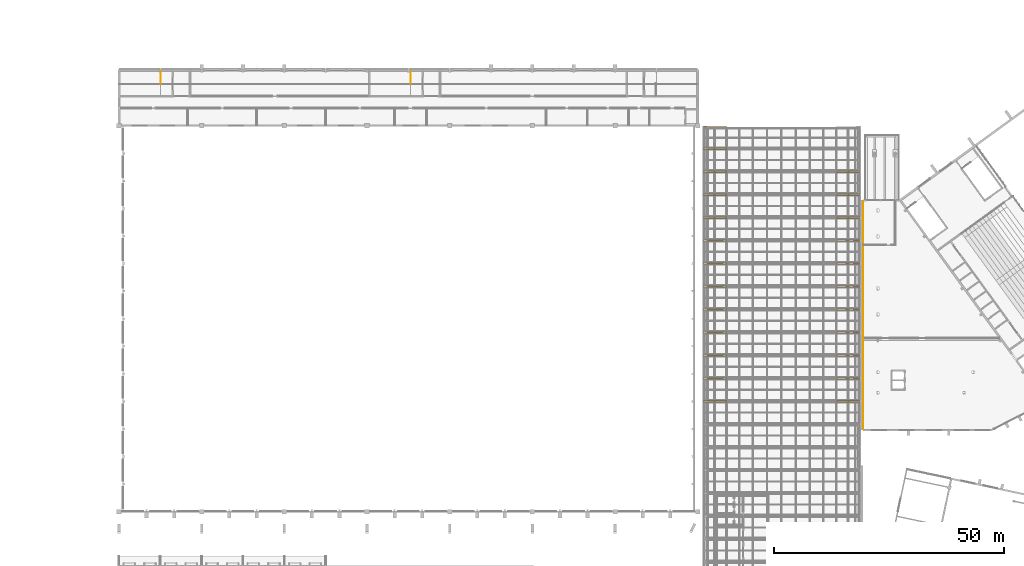
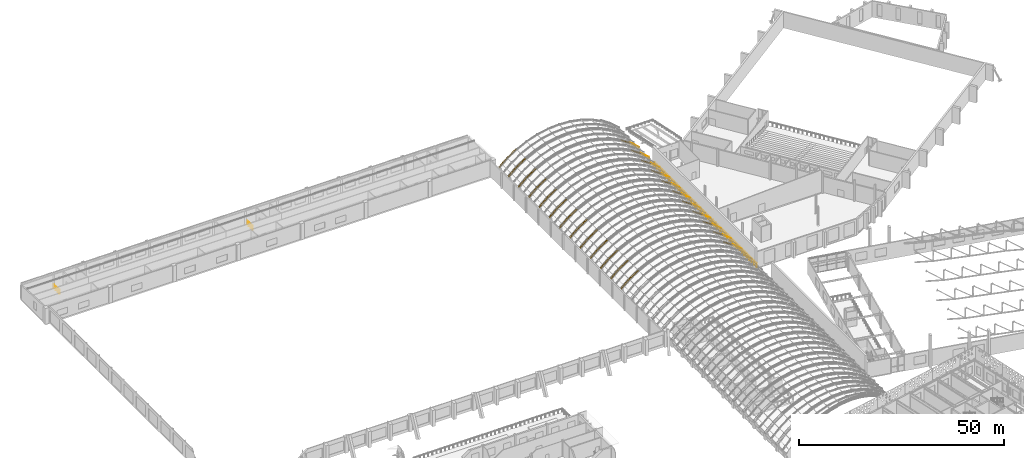
# One storey, part 181 of 182: 48 coverings, 3 railings.
"""IFC4 building model written with IfcOpenShell, lengths in metres."""

from ifc_helpers import new_model, si_unit, direction, frame, origin, origin_2d, place, context, subcontext, project, spatial, polyline, circle, outline, extrude, material, layer, layer_set, type_object, element, save


model = new_model("IFC4")

# Units and contexts
model_context = context("Model", 3, precision=1e-05, world=origin(), true_north=direction((0.0, 1.0)))
body_context = subcontext(model_context, "Body", "Model", "MODEL_VIEW")
ifc_project = project(units=[si_unit("LENGTHUNIT", "METRE"), si_unit("AREAUNIT", "SQUARE_METRE"), si_unit("VOLUMEUNIT", "CUBIC_METRE"), si_unit("PLANEANGLEUNIT", "RADIAN"), si_unit("MASSUNIT", "GRAM", prefix="KILO")], contexts=[model_context])

# Site, building, storey
site_placement = place(None, origin())
site = spatial("IfcSite", under=ifc_project, at=site_placement, CompositionType="ELEMENT")
building_placement = place(site_placement, origin())
building = spatial("IfcBuilding", under=site, at=building_placement, Name="Okhra Congress Centre", CompositionType="ELEMENT")
storey_placement = place(building_placement, frame((0.0, 0.0, 7.199951171875)))
storey = spatial("IfcBuildingStorey", under=building, at=storey_placement, Name="L01", CompositionType="ELEMENT", Elevation=7.199951171875)

# Coverings
ifc_material_1 = material(Name="Extruded aluminium capping, thermally broken", Category="aluminium")
ifc_layer = layer(ifc_material_1, 0.139892578125)
ifc_layer_set = layer_set([ifc_layer], Name="Aluminium rib capping 380")
covering_type = type_object("IfcCoveringType", Name="Aluminium rib capping 380", PredefinedType="CLADDING", material=ifc_layer_set)
covering_1_placement = place(storey_placement, frame((155.2783203125, 155.81005859375, 2.06103515625), z_axis=(-0.663725875965, 0.0, 0.747975909756), x_axis=(0.747975909756, 0.0, 0.663725875965)))
element("IfcCovering", 1, at=covering_1_placement, inside=storey, type_object=covering_type, Name="Rib capping 17.1", PredefinedType="CLADDING", context=body_context, shape_type="SweptSolid", body=[
    extrude(outline(polyline([(0.0, 0.0), (3.0890658975292116, 0.0), (3.0890658975292116, 0.3798828125), (0.0, 0.3798828125), (0.0, 0.0)])), origin(), (0.0, 0.0, -1.0), 0.139892578125),
])
for number, where, z_axis, x_axis, name in (
    (2, (157.63623046875, 155.81005859375, 4.14794921875), (-0.559487786357, 0.0, 0.828838595215), (0.828838595215, 0.0, 0.559487786357), "Rib capping 17.2"),
    (3, (184.303466796875, 155.81005859375, 5.876220703125), (0.559487786357, 0.0, 0.828838595215), (0.828838595215, 0.0, -0.559487786357), "Rib capping 17.11"),
):
    element("IfcCovering", number, at=place(storey_placement, frame(where, z_axis=z_axis, x_axis=x_axis)), inside=storey, type_object=covering_type, Name=name, PredefinedType="CLADDING", context=body_context, shape_type="SweptSolid", body=[
        extrude(outline(polyline([(0.0, 0.0), (3.08902450870042, 0.0), (3.08902450870042, 0.3798828125), (0.0, 0.3798828125), (0.0, 0.0)])), origin(), (0.0, 0.0, -1.0), 0.139892578125),
    ])
for number, where, z_axis, x_axis, name in (
    (4, (186.9111328125, 155.81005859375, 4.111328125), (0.663725875965, 0.0, 0.747975909756), (0.747975909756, 0.0, -0.663725875965), "Rib capping 17.12"),
    (5, (155.2783203125, 160.81005859375, 2.06103515625), (-0.663725875965, 0.0, 0.747975909756), (0.747975909756, 0.0, 0.663725875965), "Rib capping 18.1"),
):
    element("IfcCovering", number, at=place(storey_placement, frame(where, z_axis=z_axis, x_axis=x_axis)), inside=storey, type_object=covering_type, Name=name, PredefinedType="CLADDING", context=body_context, shape_type="SweptSolid", body=[
        extrude(outline(polyline([(0.0, 0.0), (3.0890658975292116, 0.0), (3.0890658975292116, 0.3798828125), (0.0, 0.3798828125), (0.0, 0.0)])), origin(), (0.0, 0.0, -1.0), 0.139892578125),
    ])
for number, where, z_axis, x_axis, name in (
    (6, (157.63623046875, 160.81005859375, 4.14794921875), (-0.559487786357, 0.0, 0.828838595215), (0.828838595215, 0.0, 0.559487786357), "Rib capping 18.2"),
    (7, (184.303466796875, 160.81005859375, 5.876220703125), (0.559487786357, 0.0, 0.828838595215), (0.828838595215, 0.0, -0.559487786357), "Rib capping 18.11"),
):
    element("IfcCovering", number, at=place(storey_placement, frame(where, z_axis=z_axis, x_axis=x_axis)), inside=storey, type_object=covering_type, Name=name, PredefinedType="CLADDING", context=body_context, shape_type="SweptSolid", body=[
        extrude(outline(polyline([(0.0, 0.0), (3.08902450870042, 0.0), (3.08902450870042, 0.3798828125), (0.0, 0.3798828125), (0.0, 0.0)])), origin(), (0.0, 0.0, -1.0), 0.139892578125),
    ])
for number, where, z_axis, x_axis, name in (
    (8, (186.9111328125, 160.81005859375, 4.111328125), (0.663725875965, 0.0, 0.747975909756), (0.747975909756, 0.0, -0.663725875965), "Rib capping 18.12"),
    (9, (155.2783203125, 165.81005859375, 2.06103515625), (-0.663725875965, 0.0, 0.747975909756), (0.747975909756, 0.0, 0.663725875965), "Rib capping 19.1"),
):
    element("IfcCovering", number, at=place(storey_placement, frame(where, z_axis=z_axis, x_axis=x_axis)), inside=storey, type_object=covering_type, Name=name, PredefinedType="CLADDING", context=body_context, shape_type="SweptSolid", body=[
        extrude(outline(polyline([(0.0, 0.0), (3.0890658975292116, 0.0), (3.0890658975292116, 0.3798828125), (0.0, 0.3798828125), (0.0, 0.0)])), origin(), (0.0, 0.0, -1.0), 0.139892578125),
    ])
for number, where, z_axis, x_axis, name in (
    (10, (157.63623046875, 165.81005859375, 4.14794921875), (-0.559487786357, 0.0, 0.828838595215), (0.828838595215, 0.0, 0.559487786357), "Rib capping 19.2"),
    (11, (184.303466796875, 165.81005859375, 5.876220703125), (0.559487786357, 0.0, 0.828838595215), (0.828838595215, 0.0, -0.559487786357), "Rib capping 19.11"),
):
    element("IfcCovering", number, at=place(storey_placement, frame(where, z_axis=z_axis, x_axis=x_axis)), inside=storey, type_object=covering_type, Name=name, PredefinedType="CLADDING", context=body_context, shape_type="SweptSolid", body=[
        extrude(outline(polyline([(0.0, 0.0), (3.08902450870042, 0.0), (3.08902450870042, 0.3798828125), (0.0, 0.3798828125), (0.0, 0.0)])), origin(), (0.0, 0.0, -1.0), 0.139892578125),
    ])
for number, where, z_axis, x_axis, name in (
    (12, (186.9111328125, 165.81005859375, 4.111328125), (0.663725875965, 0.0, 0.747975909756), (0.747975909756, 0.0, -0.663725875965), "Rib capping 19.12"),
    (13, (155.2783203125, 170.81005859375, 2.06103515625), (-0.663725875965, 0.0, 0.747975909756), (0.747975909756, 0.0, 0.663725875965), "Rib capping 20.1"),
):
    element("IfcCovering", number, at=place(storey_placement, frame(where, z_axis=z_axis, x_axis=x_axis)), inside=storey, type_object=covering_type, Name=name, PredefinedType="CLADDING", context=body_context, shape_type="SweptSolid", body=[
        extrude(outline(polyline([(0.0, 0.0), (3.0890658975292116, 0.0), (3.0890658975292116, 0.3798828125), (0.0, 0.3798828125), (0.0, 0.0)])), origin(), (0.0, 0.0, -1.0), 0.139892578125),
    ])
for number, where, z_axis, x_axis, name in (
    (14, (157.63623046875, 170.81005859375, 4.14794921875), (-0.559487786357, 0.0, 0.828838595215), (0.828838595215, 0.0, 0.559487786357), "Rib capping 20.2"),
    (15, (184.303466796875, 170.81005859375, 5.876220703125), (0.559487786357, 0.0, 0.828838595215), (0.828838595215, 0.0, -0.559487786357), "Rib capping 20.11"),
):
    element("IfcCovering", number, at=place(storey_placement, frame(where, z_axis=z_axis, x_axis=x_axis)), inside=storey, type_object=covering_type, Name=name, PredefinedType="CLADDING", context=body_context, shape_type="SweptSolid", body=[
        extrude(outline(polyline([(0.0, 0.0), (3.08902450870042, 0.0), (3.08902450870042, 0.3798828125), (0.0, 0.3798828125), (0.0, 0.0)])), origin(), (0.0, 0.0, -1.0), 0.139892578125),
    ])
for number, where, z_axis, x_axis, name in (
    (16, (186.9111328125, 170.81005859375, 4.111328125), (0.663725875965, 0.0, 0.747975909756), (0.747975909756, 0.0, -0.663725875965), "Rib capping 20.12"),
    (17, (155.2783203125, 175.81005859375, 2.06103515625), (-0.663725875965, 0.0, 0.747975909756), (0.747975909756, 0.0, 0.663725875965), "Rib capping 21.1"),
):
    element("IfcCovering", number, at=place(storey_placement, frame(where, z_axis=z_axis, x_axis=x_axis)), inside=storey, type_object=covering_type, Name=name, PredefinedType="CLADDING", context=body_context, shape_type="SweptSolid", body=[
        extrude(outline(polyline([(0.0, 0.0), (3.0890658975292116, 0.0), (3.0890658975292116, 0.3798828125), (0.0, 0.3798828125), (0.0, 0.0)])), origin(), (0.0, 0.0, -1.0), 0.139892578125),
    ])
for number, where, z_axis, x_axis, name in (
    (18, (157.63623046875, 175.81005859375, 4.14794921875), (-0.559487786357, 0.0, 0.828838595215), (0.828838595215, 0.0, 0.559487786357), "Rib capping 21.2"),
    (19, (184.303466796875, 175.81005859375, 5.876220703125), (0.559487786357, 0.0, 0.828838595215), (0.828838595215, 0.0, -0.559487786357), "Rib capping 21.11"),
):
    element("IfcCovering", number, at=place(storey_placement, frame(where, z_axis=z_axis, x_axis=x_axis)), inside=storey, type_object=covering_type, Name=name, PredefinedType="CLADDING", context=body_context, shape_type="SweptSolid", body=[
        extrude(outline(polyline([(0.0, 0.0), (3.08902450870042, 0.0), (3.08902450870042, 0.3798828125), (0.0, 0.3798828125), (0.0, 0.0)])), origin(), (0.0, 0.0, -1.0), 0.139892578125),
    ])
for number, where, z_axis, x_axis, name in (
    (20, (186.9111328125, 175.81005859375, 4.111328125), (0.663725875965, 0.0, 0.747975909756), (0.747975909756, 0.0, -0.663725875965), "Rib capping 21.12"),
    (21, (155.2783203125, 180.81005859375, 2.06103515625), (-0.663725875965, 0.0, 0.747975909756), (0.747975909756, 0.0, 0.663725875965), "Rib capping 22.1"),
):
    element("IfcCovering", number, at=place(storey_placement, frame(where, z_axis=z_axis, x_axis=x_axis)), inside=storey, type_object=covering_type, Name=name, PredefinedType="CLADDING", context=body_context, shape_type="SweptSolid", body=[
        extrude(outline(polyline([(0.0, 0.0), (3.0890658975292116, 0.0), (3.0890658975292116, 0.3798828125), (0.0, 0.3798828125), (0.0, 0.0)])), origin(), (0.0, 0.0, -1.0), 0.139892578125),
    ])
for number, where, z_axis, x_axis, name in (
    (22, (157.63623046875, 180.81005859375, 4.14794921875), (-0.559487786357, 0.0, 0.828838595215), (0.828838595215, 0.0, 0.559487786357), "Rib capping 22.2"),
    (23, (184.303466796875, 180.81005859375, 5.876220703125), (0.559487786357, 0.0, 0.828838595215), (0.828838595215, 0.0, -0.559487786357), "Rib capping 22.11"),
):
    element("IfcCovering", number, at=place(storey_placement, frame(where, z_axis=z_axis, x_axis=x_axis)), inside=storey, type_object=covering_type, Name=name, PredefinedType="CLADDING", context=body_context, shape_type="SweptSolid", body=[
        extrude(outline(polyline([(0.0, 0.0), (3.08902450870042, 0.0), (3.08902450870042, 0.3798828125), (0.0, 0.3798828125), (0.0, 0.0)])), origin(), (0.0, 0.0, -1.0), 0.139892578125),
    ])
for number, where, z_axis, x_axis, name in (
    (24, (186.9111328125, 180.81005859375, 4.111328125), (0.663725875965, 0.0, 0.747975909756), (0.747975909756, 0.0, -0.663725875965), "Rib capping 22.12"),
    (25, (155.2783203125, 185.81005859375, 2.06103515625), (-0.663725875965, 0.0, 0.747975909756), (0.747975909756, 0.0, 0.663725875965), "Rib capping 23.1"),
):
    element("IfcCovering", number, at=place(storey_placement, frame(where, z_axis=z_axis, x_axis=x_axis)), inside=storey, type_object=covering_type, Name=name, PredefinedType="CLADDING", context=body_context, shape_type="SweptSolid", body=[
        extrude(outline(polyline([(0.0, 0.0), (3.0890658975292116, 0.0), (3.0890658975292116, 0.3798828125), (0.0, 0.3798828125), (0.0, 0.0)])), origin(), (0.0, 0.0, -1.0), 0.139892578125),
    ])
for number, where, z_axis, x_axis, name in (
    (26, (157.63623046875, 185.81005859375, 4.14794921875), (-0.559487786357, 0.0, 0.828838595215), (0.828838595215, 0.0, 0.559487786357), "Rib capping 23.2"),
    (27, (184.303466796875, 185.81005859375, 5.876220703125), (0.559487786357, 0.0, 0.828838595215), (0.828838595215, 0.0, -0.559487786357), "Rib capping 23.11"),
):
    element("IfcCovering", number, at=place(storey_placement, frame(where, z_axis=z_axis, x_axis=x_axis)), inside=storey, type_object=covering_type, Name=name, PredefinedType="CLADDING", context=body_context, shape_type="SweptSolid", body=[
        extrude(outline(polyline([(0.0, 0.0), (3.08902450870042, 0.0), (3.08902450870042, 0.3798828125), (0.0, 0.3798828125), (0.0, 0.0)])), origin(), (0.0, 0.0, -1.0), 0.139892578125),
    ])
for number, where, z_axis, x_axis, name in (
    (28, (186.9111328125, 185.81005859375, 4.111328125), (0.663725875965, 0.0, 0.747975909756), (0.747975909756, 0.0, -0.663725875965), "Rib capping 23.12"),
    (29, (155.2783203125, 190.81005859375, 2.06103515625), (-0.663725875965, 0.0, 0.747975909756), (0.747975909756, 0.0, 0.663725875965), "Rib capping 24.1"),
):
    element("IfcCovering", number, at=place(storey_placement, frame(where, z_axis=z_axis, x_axis=x_axis)), inside=storey, type_object=covering_type, Name=name, PredefinedType="CLADDING", context=body_context, shape_type="SweptSolid", body=[
        extrude(outline(polyline([(0.0, 0.0), (3.0890658975292116, 0.0), (3.0890658975292116, 0.3798828125), (0.0, 0.3798828125), (0.0, 0.0)])), origin(), (0.0, 0.0, -1.0), 0.139892578125),
    ])
for number, where, z_axis, x_axis, name in (
    (30, (157.63623046875, 190.81005859375, 4.14794921875), (-0.559487786357, 0.0, 0.828838595215), (0.828838595215, 0.0, 0.559487786357), "Rib capping 24.2"),
    (31, (184.303466796875, 190.81005859375, 5.876220703125), (0.559487786357, 0.0, 0.828838595215), (0.828838595215, 0.0, -0.559487786357), "Rib capping 24.11"),
):
    element("IfcCovering", number, at=place(storey_placement, frame(where, z_axis=z_axis, x_axis=x_axis)), inside=storey, type_object=covering_type, Name=name, PredefinedType="CLADDING", context=body_context, shape_type="SweptSolid", body=[
        extrude(outline(polyline([(0.0, 0.0), (3.08902450870042, 0.0), (3.08902450870042, 0.3798828125), (0.0, 0.3798828125), (0.0, 0.0)])), origin(), (0.0, 0.0, -1.0), 0.139892578125),
    ])
for number, where, z_axis, x_axis, name in (
    (32, (186.9111328125, 190.81005859375, 4.111328125), (0.663725875965, 0.0, 0.747975909756), (0.747975909756, 0.0, -0.663725875965), "Rib capping 24.12"),
    (33, (155.2783203125, 195.81005859375, 2.06103515625), (-0.663725875965, 0.0, 0.747975909756), (0.747975909756, 0.0, 0.663725875965), "Rib capping 25.1"),
):
    element("IfcCovering", number, at=place(storey_placement, frame(where, z_axis=z_axis, x_axis=x_axis)), inside=storey, type_object=covering_type, Name=name, PredefinedType="CLADDING", context=body_context, shape_type="SweptSolid", body=[
        extrude(outline(polyline([(0.0, 0.0), (3.0890658975292116, 0.0), (3.0890658975292116, 0.3798828125), (0.0, 0.3798828125), (0.0, 0.0)])), origin(), (0.0, 0.0, -1.0), 0.139892578125),
    ])
for number, where, z_axis, x_axis, name in (
    (34, (157.63623046875, 195.81005859375, 4.14794921875), (-0.559487786357, 0.0, 0.828838595215), (0.828838595215, 0.0, 0.559487786357), "Rib capping 25.2"),
    (35, (184.303466796875, 195.81005859375, 5.876220703125), (0.559487786357, 0.0, 0.828838595215), (0.828838595215, 0.0, -0.559487786357), "Rib capping 25.11"),
):
    element("IfcCovering", number, at=place(storey_placement, frame(where, z_axis=z_axis, x_axis=x_axis)), inside=storey, type_object=covering_type, Name=name, PredefinedType="CLADDING", context=body_context, shape_type="SweptSolid", body=[
        extrude(outline(polyline([(0.0, 0.0), (3.08902450870042, 0.0), (3.08902450870042, 0.3798828125), (0.0, 0.3798828125), (0.0, 0.0)])), origin(), (0.0, 0.0, -1.0), 0.139892578125),
    ])
for number, where, z_axis, x_axis, name in (
    (36, (186.9111328125, 195.81005859375, 4.111328125), (0.663725875965, 0.0, 0.747975909756), (0.747975909756, 0.0, -0.663725875965), "Rib capping 25.12"),
    (37, (155.2783203125, 200.81005859375, 2.06103515625), (-0.663725875965, 0.0, 0.747975909756), (0.747975909756, 0.0, 0.663725875965), "Rib capping 26.1"),
):
    element("IfcCovering", number, at=place(storey_placement, frame(where, z_axis=z_axis, x_axis=x_axis)), inside=storey, type_object=covering_type, Name=name, PredefinedType="CLADDING", context=body_context, shape_type="SweptSolid", body=[
        extrude(outline(polyline([(0.0, 0.0), (3.0890658975292116, 0.0), (3.0890658975292116, 0.3798828125), (0.0, 0.3798828125), (0.0, 0.0)])), origin(), (0.0, 0.0, -1.0), 0.139892578125),
    ])
for number, where, z_axis, x_axis, name in (
    (38, (157.63623046875, 200.81005859375, 4.14794921875), (-0.559487786357, 0.0, 0.828838595215), (0.828838595215, 0.0, 0.559487786357), "Rib capping 26.2"),
    (39, (184.303466796875, 200.81005859375, 5.876220703125), (0.559487786357, 0.0, 0.828838595215), (0.828838595215, 0.0, -0.559487786357), "Rib capping 26.11"),
):
    element("IfcCovering", number, at=place(storey_placement, frame(where, z_axis=z_axis, x_axis=x_axis)), inside=storey, type_object=covering_type, Name=name, PredefinedType="CLADDING", context=body_context, shape_type="SweptSolid", body=[
        extrude(outline(polyline([(0.0, 0.0), (3.08902450870042, 0.0), (3.08902450870042, 0.3798828125), (0.0, 0.3798828125), (0.0, 0.0)])), origin(), (0.0, 0.0, -1.0), 0.139892578125),
    ])
for number, where, z_axis, x_axis, name in (
    (40, (186.9111328125, 200.81005859375, 4.111328125), (0.663725875965, 0.0, 0.747975909756), (0.747975909756, 0.0, -0.663725875965), "Rib capping 26.12"),
    (41, (155.2783203125, 205.81005859375, 2.06103515625), (-0.663725875965, 0.0, 0.747975909756), (0.747975909756, 0.0, 0.663725875965), "Rib capping 27.1"),
):
    element("IfcCovering", number, at=place(storey_placement, frame(where, z_axis=z_axis, x_axis=x_axis)), inside=storey, type_object=covering_type, Name=name, PredefinedType="CLADDING", context=body_context, shape_type="SweptSolid", body=[
        extrude(outline(polyline([(0.0, 0.0), (3.0890658975292116, 0.0), (3.0890658975292116, 0.3798828125), (0.0, 0.3798828125), (0.0, 0.0)])), origin(), (0.0, 0.0, -1.0), 0.139892578125),
    ])
for number, where, z_axis, x_axis, name in (
    (42, (157.63623046875, 205.81005859375, 4.14794921875), (-0.559487786357, 0.0, 0.828838595215), (0.828838595215, 0.0, 0.559487786357), "Rib capping 27.2"),
    (43, (184.303466796875, 205.81005859375, 5.876220703125), (0.559487786357, 0.0, 0.828838595215), (0.828838595215, 0.0, -0.559487786357), "Rib capping 27.11"),
):
    element("IfcCovering", number, at=place(storey_placement, frame(where, z_axis=z_axis, x_axis=x_axis)), inside=storey, type_object=covering_type, Name=name, PredefinedType="CLADDING", context=body_context, shape_type="SweptSolid", body=[
        extrude(outline(polyline([(0.0, 0.0), (3.08902450870042, 0.0), (3.08902450870042, 0.3798828125), (0.0, 0.3798828125), (0.0, 0.0)])), origin(), (0.0, 0.0, -1.0), 0.139892578125),
    ])
for number, where, z_axis, x_axis, name in (
    (44, (186.9111328125, 205.81005859375, 4.111328125), (0.663725875965, 0.0, 0.747975909756), (0.747975909756, 0.0, -0.663725875965), "Rib capping 27.12"),
    (45, (155.2783203125, 210.81005859375, 2.06103515625), (-0.663725875965, 0.0, 0.747975909756), (0.747975909756, 0.0, 0.663725875965), "Rib capping 28.1"),
):
    element("IfcCovering", number, at=place(storey_placement, frame(where, z_axis=z_axis, x_axis=x_axis)), inside=storey, type_object=covering_type, Name=name, PredefinedType="CLADDING", context=body_context, shape_type="SweptSolid", body=[
        extrude(outline(polyline([(0.0, 0.0), (3.0890658975292116, 0.0), (3.0890658975292116, 0.3798828125), (0.0, 0.3798828125), (0.0, 0.0)])), origin(), (0.0, 0.0, -1.0), 0.139892578125),
    ])
covering_2_placement = place(storey_placement, frame((157.63623046875, 210.81005859375, 4.14794921875), z_axis=(-0.559487786357, 0.0, 0.828838595215), x_axis=(0.828838595215, 0.0, 0.559487786357)))
element("IfcCovering", 46, at=covering_2_placement, inside=storey, type_object=covering_type, Name="Rib capping 28.2", PredefinedType="CLADDING", context=body_context, shape_type="SweptSolid", body=[
    extrude(outline(polyline([(0.0, 0.0), (3.08902450870042, 0.0), (3.08902450870042, 0.3798828125), (0.0, 0.3798828125), (0.0, 0.0)])), origin(), (0.0, 0.0, -1.0), 0.139892578125),
])
covering_3_placement = place(storey_placement, frame((155.3076171875, 215.449951171875, 2.0322265625), z_axis=(-0.663646042111, 0.0, 0.74804674372), x_axis=(0.74804674372, 0.0, 0.663646042111)))
element("IfcCovering", 47, at=covering_3_placement, inside=storey, type_object=covering_type, Name="Rib capping 29.1", PredefinedType="CLADDING", context=body_context, shape_type="SweptSolid", body=[
    extrude(outline(polyline([(0.0, 0.0), (3.083551454990946, 0.0), (3.083551454990946, 0.300048828125), (0.0, 0.300048828125), (0.0, 0.0)])), origin(), (0.0, 0.0, -1.0), 0.139892578125),
])
covering_4_placement = place(storey_placement, frame((157.66162109375, 215.449951171875, 4.115478515625), z_axis=(-0.559495970177, 0.0, 0.828833070863), x_axis=(0.828833070863, 0.0, 0.559495970177)))
element("IfcCovering", 48, at=covering_4_placement, inside=storey, type_object=covering_type, Name="Rib capping 29.2", PredefinedType="CLADDING", context=body_context, shape_type="SweptSolid", body=[
    extrude(outline(polyline([(0.0, 0.0), (3.0837430273687723, 0.0), (3.0837430273687723, 0.300048828125), (0.0, 0.300048828125), (0.0, 0.0)])), origin(), (0.0, 0.0, -1.0), 0.139892578125),
])

# Railings
ifc_material_2 = material(Name="Painted steel tube guard with vertical steel balusters", Category="steel")
railing_type_1 = type_object("IfcRailingType", Name="Steel guard 1200", PredefinedType="GUARDRAIL", material=ifc_material_2)
railing_placement = place(storey_placement, frame((190.050048828125, 149.89990234375, 0.0)))
element("IfcRailing", 49, at=railing_placement, inside=storey, type_object=railing_type_1, Name="Foyer gallery west guard", PredefinedType="GUARDRAIL", context=body_context, shape_type="SweptSolid", body=[
    extrude(circle(Radius=0.02392578125, at=origin_2d()), frame((0.0, 0.0, 1.17578125), z_axis=(0.0, 1.0, 0.0), x_axis=(-1.0, 0.0, 0.0)), (0.0, 0.0, 1.0), 49.690185546875),
    extrude(circle(Radius=0.02099609375, at=origin_2d()), origin(), (0.0, 0.0, 1.0), 1.15185546875),
    extrude(circle(Radius=0.02099609375, at=origin_2d()), frame((0.0, 1.18310546875, 0.0)), (0.0, 0.0, 1.0), 1.15185546875),
    extrude(circle(Radius=0.02099609375, at=origin_2d()), frame((0.0, 2.3662109375, 0.0)), (0.0, 0.0, 1.0), 1.15185546875),
    extrude(circle(Radius=0.02099609375, at=origin_2d()), frame((0.0, 3.54931640625, 0.0)), (0.0, 0.0, 1.0), 1.15185546875),
    extrude(circle(Radius=0.02099609375, at=origin_2d()), frame((0.0, 4.732421875, 0.0)), (0.0, 0.0, 1.0), 1.15185546875),
    extrude(circle(Radius=0.02099609375, at=origin_2d()), frame((0.0, 5.91552734375, 0.0)), (0.0, 0.0, 1.0), 1.15185546875),
    extrude(circle(Radius=0.02099609375, at=origin_2d()), frame((0.0, 7.0986328125, 0.0)), (0.0, 0.0, 1.0), 1.15185546875),
    extrude(circle(Radius=0.02099609375, at=origin_2d()), frame((0.0, 8.28173828125, 0.0)), (0.0, 0.0, 1.0), 1.15185546875),
    extrude(circle(Radius=0.02099609375, at=origin_2d()), frame((0.0, 9.46484375, 0.0)), (0.0, 0.0, 1.0), 1.15185546875),
    extrude(circle(Radius=0.02099609375, at=origin_2d()), frame((0.0, 10.64794921875, 0.0)), (0.0, 0.0, 1.0), 1.15185546875),
    extrude(circle(Radius=0.02099609375, at=origin_2d()), frame((0.0, 11.8310546875, 0.0)), (0.0, 0.0, 1.0), 1.15185546875),
    extrude(circle(Radius=0.02099609375, at=origin_2d()), frame((0.0, 13.01416015625, 0.0)), (0.0, 0.0, 1.0), 1.15185546875),
    extrude(circle(Radius=0.02099609375, at=origin_2d()), frame((0.0, 14.197265625, 0.0)), (0.0, 0.0, 1.0), 1.15185546875),
    extrude(circle(Radius=0.02099609375, at=origin_2d()), frame((0.0, 15.38037109375, 0.0)), (0.0, 0.0, 1.0), 1.15185546875),
    extrude(circle(Radius=0.02099609375, at=origin_2d()), frame((0.0, 16.5634765625, 0.0)), (0.0, 0.0, 1.0), 1.15185546875),
    extrude(circle(Radius=0.02099609375, at=origin_2d()), frame((0.0, 17.74658203125, 0.0)), (0.0, 0.0, 1.0), 1.15185546875),
    extrude(circle(Radius=0.02099609375, at=origin_2d()), frame((0.0, 18.9296875, 0.0)), (0.0, 0.0, 1.0), 1.15185546875),
    extrude(circle(Radius=0.02099609375, at=origin_2d()), frame((0.0, 20.11279296875, 0.0)), (0.0, 0.0, 1.0), 1.15185546875),
    extrude(circle(Radius=0.02099609375, at=origin_2d()), frame((0.0, 21.2958984375, 0.0)), (0.0, 0.0, 1.0), 1.15185546875),
    extrude(circle(Radius=0.02099609375, at=origin_2d()), frame((0.0, 22.47900390625, 0.0)), (0.0, 0.0, 1.0), 1.15185546875),
    extrude(circle(Radius=0.02099609375, at=origin_2d()), frame((0.0, 23.662109375, 0.0)), (0.0, 0.0, 1.0), 1.15185546875),
    extrude(circle(Radius=0.02099609375, at=origin_2d()), frame((0.0, 24.84521484375, 0.0)), (0.0, 0.0, 1.0), 1.15185546875),
    extrude(circle(Radius=0.02099609375, at=origin_2d()), frame((0.0, 26.028076171875, 0.0)), (0.0, 0.0, 1.0), 1.15185546875),
    extrude(circle(Radius=0.02099609375, at=origin_2d()), frame((0.0, 27.211181640625, 0.0)), (0.0, 0.0, 1.0), 1.15185546875),
    extrude(circle(Radius=0.02099609375, at=origin_2d()), frame((0.0, 28.394287109375, 0.0)), (0.0, 0.0, 1.0), 1.15185546875),
    extrude(circle(Radius=0.02099609375, at=origin_2d()), frame((0.0, 29.577392578125, 0.0)), (0.0, 0.0, 1.0), 1.15185546875),
    extrude(circle(Radius=0.02099609375, at=origin_2d()), frame((0.0, 30.760498046875, 0.0)), (0.0, 0.0, 1.0), 1.15185546875),
    extrude(circle(Radius=0.02099609375, at=origin_2d()), frame((0.0, 31.943603515625, 0.0)), (0.0, 0.0, 1.0), 1.15185546875),
    extrude(circle(Radius=0.02099609375, at=origin_2d()), frame((0.0, 33.126708984375, 0.0)), (0.0, 0.0, 1.0), 1.15185546875),
    extrude(circle(Radius=0.02099609375, at=origin_2d()), frame((0.0, 34.309814453125, 0.0)), (0.0, 0.0, 1.0), 1.15185546875),
    extrude(circle(Radius=0.02099609375, at=origin_2d()), frame((0.0, 35.492919921875, 0.0)), (0.0, 0.0, 1.0), 1.15185546875),
    extrude(circle(Radius=0.02099609375, at=origin_2d()), frame((0.0, 36.676025390625, 0.0)), (0.0, 0.0, 1.0), 1.15185546875),
    extrude(circle(Radius=0.02099609375, at=origin_2d()), frame((0.0, 37.859130859375, 0.0)), (0.0, 0.0, 1.0), 1.15185546875),
    extrude(circle(Radius=0.02099609375, at=origin_2d()), frame((0.0, 39.042236328125, 0.0)), (0.0, 0.0, 1.0), 1.15185546875),
    extrude(circle(Radius=0.02099609375, at=origin_2d()), frame((0.0, 40.225341796875, 0.0)), (0.0, 0.0, 1.0), 1.15185546875),
    extrude(circle(Radius=0.02099609375, at=origin_2d()), frame((0.0, 41.408447265625, 0.0)), (0.0, 0.0, 1.0), 1.15185546875),
    extrude(circle(Radius=0.02099609375, at=origin_2d()), frame((0.0, 42.591552734375, 0.0)), (0.0, 0.0, 1.0), 1.15185546875),
    extrude(circle(Radius=0.02099609375, at=origin_2d()), frame((0.0, 43.774658203125, 0.0)), (0.0, 0.0, 1.0), 1.15185546875),
    extrude(circle(Radius=0.02099609375, at=origin_2d()), frame((0.0, 44.957763671875, 0.0)), (0.0, 0.0, 1.0), 1.15185546875),
    extrude(circle(Radius=0.02099609375, at=origin_2d()), frame((0.0, 46.140869140625, 0.0)), (0.0, 0.0, 1.0), 1.15185546875),
    extrude(circle(Radius=0.02099609375, at=origin_2d()), frame((0.0, 47.323974609375, 0.0)), (0.0, 0.0, 1.0), 1.15185546875),
    extrude(circle(Radius=0.02099609375, at=origin_2d()), frame((0.0, 48.507080078125, 0.0)), (0.0, 0.0, 1.0), 1.15185546875),
    extrude(circle(Radius=0.02099609375, at=origin_2d()), frame((0.0, 49.690185546875, 0.0)), (0.0, 0.0, 1.0), 1.15185546875),
])
railing_type_2 = type_object("IfcRailingType", Name="Steel stair guard 1200", PredefinedType="GUARDRAIL", material=ifc_material_2)
for number, where, name in (
    (50, (37.074951171875, 227.824951171875, 0.0), "L01 ES1 top well guard 1"),
    (51, (91.5, 227.824951171875, 0.0), "L01 ES2 top well guard 1"),
):
    element("IfcRailing", number, at=place(storey_placement, frame(where)), inside=storey, type_object=railing_type_2, Name=name, PredefinedType="GUARDRAIL", context=body_context, shape_type="SweptSolid", body=[
        extrude(circle(Radius=0.02392578125, at=origin_2d()), frame((0.0, 0.0, 1.17578125), z_axis=(0.0, -1.0, 0.0), x_axis=(1.0, 0.0, 0.0)), (0.0, 0.0, 1.0), 2.699951171875),
        extrude(circle(Radius=0.02099609375, at=origin_2d()), origin(), (0.0, 0.0, 1.0), 1.15185546875),
        extrude(circle(Radius=0.02099609375, at=origin_2d()), frame((0.0, -0.89990234375, 0.0)), (0.0, 0.0, 1.0), 1.15185546875),
        extrude(circle(Radius=0.02099609375, at=origin_2d()), frame((0.0, -1.800048828125, 0.0)), (0.0, 0.0, 1.0), 1.15185546875),
        extrude(circle(Radius=0.02099609375, at=origin_2d()), frame((0.0, -2.699951171875, 0.0)), (0.0, 0.0, 1.0), 1.15185546875),
    ])

save(model, "model.ifc")
